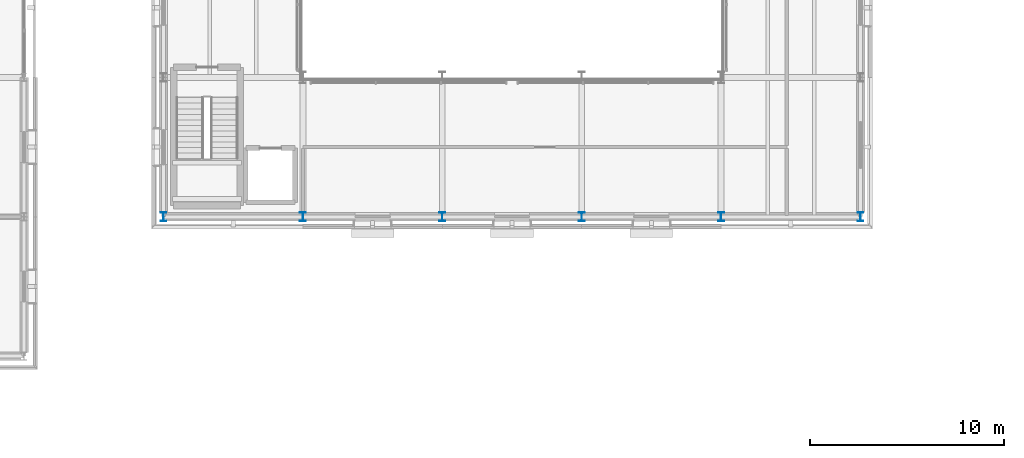
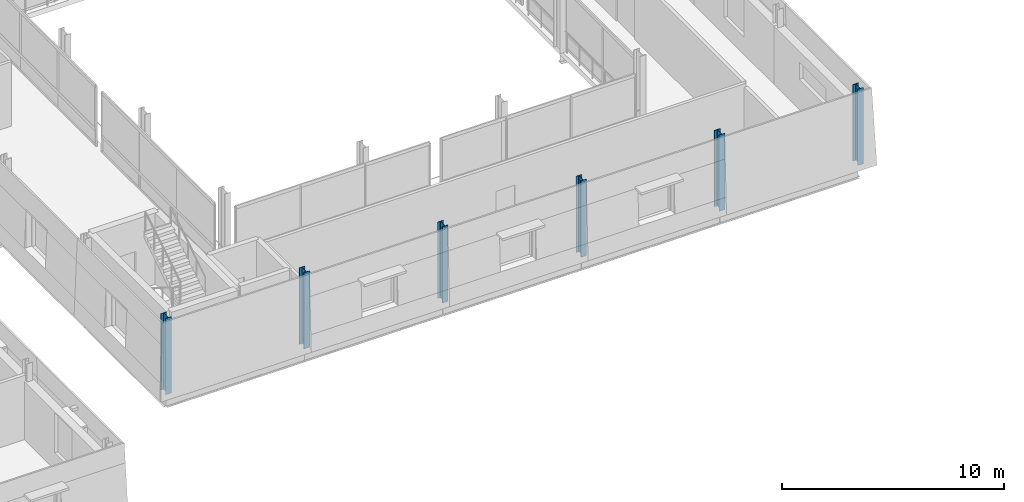
# One storey, part 5 of 115: 6 columns.
"""IFC4 building model written with IfcOpenShell, lengths in metres."""

from ifc_helpers import new_model, si_unit, direction, frame, origin, origin_2d, place, context, subcontext, project, spatial, i_section, extrude, material, material_profile, profile_set, type_object, element, save


model = new_model("IFC4")

# Units and contexts
model_context = context("Model", 3, precision=1e-05, world=origin(), true_north=direction((0.0, 1.0)))
body_context = subcontext(model_context, "Body", "Model", "MODEL_VIEW")
ifc_project = project(units=[si_unit("LENGTHUNIT", "METRE"), si_unit("AREAUNIT", "SQUARE_METRE"), si_unit("VOLUMEUNIT", "CUBIC_METRE"), si_unit("PLANEANGLEUNIT", "RADIAN"), si_unit("MASSUNIT", "GRAM", prefix="KILO")], contexts=[model_context])

# Site, building, storey
site_placement = place(None, origin())
site = spatial("IfcSite", under=ifc_project, at=site_placement, CompositionType="ELEMENT")
building_placement = place(site_placement, origin())
building = spatial("IfcBuilding", under=site, at=building_placement, Name="Narikvali Park Central Library", CompositionType="ELEMENT")
storey_placement = place(building_placement, frame((0.0, 0.0, 10.199951171875)))
storey = spatial("IfcBuildingStorey", under=building, at=storey_placement, Name="L02", CompositionType="ELEMENT", Elevation=10.199951171875)

# Columns
ifc_material = material(Name="Steel S355", Category="steel")
ifc_material_profile = material_profile(ifc_material, i_section(OverallWidth=0.300048828125, OverallDepth=0.449951171875, WebThickness=0.013916015625, FlangeThickness=0.02587890625, FilletRadius=0.027099609375, at=origin_2d()), Name="HEB 450")
ifc_profile_set = profile_set([ifc_material_profile], Name="Steel S355")
column_type = type_object("IfcColumnType", Name="Steel Column HEB450", PredefinedType="COLUMN", material=ifc_profile_set)
for number, where, z_axis, x_axis, name in (
    (1, (64.800048828125, 57.60009765625, 0.0), (0.0, 0.0, 1.0), (1.0, 0.0, 0.0), "V1 L02 Column (64.8,57.6)"),
    (2, (72.0, 57.60009765625, 0.0), (0.0, 0.0, 1.0), (1.0, 0.0, 0.0), "V1 L02 Column (72.0,57.6)"),
    (3, (79.199951171875, 57.60009765625, 0.0), (0.0, 0.0, 1.0), (1.0, 0.0, 0.0), "V1 L02 Column (79.2,57.6)"),
    (4, (86.39990234375, 57.60009765625, 0.0), (0.0, 0.0, 1.0), (1.0, 0.0, 0.0), "V1 L02 Column (86.4,57.6)"),
    (5, (93.60009765625, 57.60009765625, 0.0), (0.0, 0.0, 1.0), (1.0, 0.0, 0.0), "V1 L02 Column (93.6,57.6)"),
    (6, (100.800048828125, 57.60009765625, 0.0), (0.0, 0.0, 1.0), (1.0, 0.0, 0.0), "V1 L02 Column (100.8,57.6)"),
):
    element("IfcColumn", number, at=place(storey_placement, frame(where, z_axis=z_axis, x_axis=x_axis)), inside=storey, type_object=column_type, Name=name, PredefinedType="COLUMN", context=body_context, shape_type="SweptSolid", body=[
        extrude(i_section(OverallWidth=0.300048828125, OverallDepth=0.449951171875, WebThickness=0.013916015625, FlangeThickness=0.02587890625, FilletRadius=0.027099609375, at=origin_2d()), origin(), (0.0, 0.0, 1.0), 4.199951171875),
    ])

save(model, "model.ifc")
